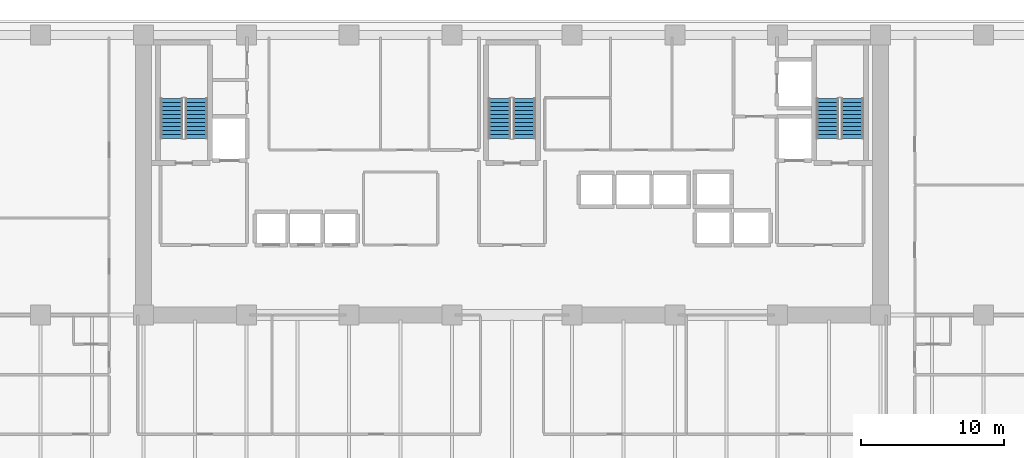
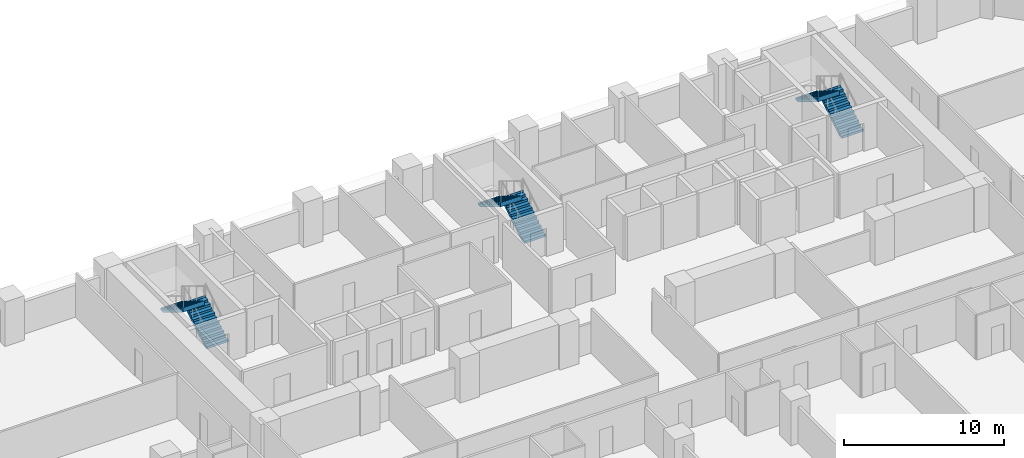
# One storey, part 10 of 14: 6 stair flights, 3 elements without a shape of their own.
"""IFC4 building model written with IfcOpenShell, lengths in metres."""

from ifc_helpers import new_model, si_unit, direction, frame, origin, place, context, subcontext, project, spatial, polyline, outline, extrude, material, type_object, element, aggregate, save


model = new_model("IFC4")

# Units and contexts
model_context = context("Model", 3, precision=1e-05, world=origin(), true_north=direction((0.0, 1.0)))
body_context = subcontext(model_context, "Body", "Model", "MODEL_VIEW")
ifc_project = project(units=[si_unit("LENGTHUNIT", "METRE"), si_unit("AREAUNIT", "SQUARE_METRE"), si_unit("VOLUMEUNIT", "CUBIC_METRE"), si_unit("PLANEANGLEUNIT", "RADIAN"), si_unit("MASSUNIT", "GRAM", prefix="KILO")], contexts=[model_context])

# Site, building, storey
site_placement = place(None, origin())
site = spatial("IfcSite", under=ifc_project, at=site_placement, CompositionType="ELEMENT")
building_placement = place(site_placement, origin())
building = spatial("IfcBuilding", under=site, at=building_placement, Name="Kaelvorn Grand Hotel", CompositionType="ELEMENT")
storey_placement = place(building_placement, frame((0.0, 0.0, 76.39990234375)))
storey = spatial("IfcBuildingStorey", under=building, at=storey_placement, Name="L17", CompositionType="ELEMENT", Elevation=76.39990234375)

# Stair, stair flights
ifc_material = material(Name="Concrete C40/50", Category="concrete")
stair_type = type_object("IfcStairType", Name="STR-DOG-1560-R06", PredefinedType="HALF_TURN_STAIR", material=ifc_material)
stair_1_placement = place(storey_placement, origin())
stair_1 = element("IfcStair", 1, at=stair_1_placement, inside=storey, type_object=stair_type, Name="L17 West Core Exit Stair ST1", PredefinedType="HALF_TURN_STAIR")
stair_flight_type = type_object("IfcStairFlightType", Name="FLG-DOG-1560-R06", PredefinedType="STRAIGHT", material=ifc_material)
stair_flight_1_placement = place(storey_placement, frame((19.89990234375, 41.760009765625, 0.0), z_axis=(0.0, 0.0, 1.0), x_axis=(0.0, 1.0, 0.0)))
stair_flight_1 = element("IfcStairFlight", 2, at=stair_flight_1_placement, type_object=stair_flight_type, Name="ST1 flight 1", NumberOfRisers=11, NumberOfTreads=10, PredefinedType="STRAIGHT", RiserHeight=0.170454545, TreadLength=0.28, context=body_context, shape_type="SweptSolid", body=[
    extrude(outline(polyline([(-0.0048828125, 0.0), (-0.0048828125, 0.0400390625), (0.0, 0.17041015625), (0.280029296875, 0.17041015625), (0.280029296875, 0.3408203125), (0.56005859375, 0.3408203125), (0.56005859375, 0.511474609375), (0.840087890625, 0.511474609375), (0.840087890625, 0.681884765625), (1.1201171875, 0.681884765625), (1.1201171875, 0.852294921875), (1.39990234375, 0.852294921875), (1.39990234375, 1.022705078125), (1.679931640625, 1.022705078125), (1.679931640625, 1.193115234375), (1.9599609375, 1.193115234375), (1.9599609375, 1.363525390625), (2.239990234375, 1.363525390625), (2.239990234375, 1.5341796875), (2.52001953125, 1.5341796875), (2.52001953125, 1.70458984375), (2.800048828125, 1.70458984375), (2.800048828125, 1.875), (2.804931640625, 1.875), (2.804931640625, 1.529052734375), (0.288330078125, 0.0), (-0.0048828125, 0.0)])), frame((0.0, 0.780029296875, 0.0), z_axis=(0.0, -1.0, 0.0), x_axis=(1.0, 0.0, 0.0)), (0.0, 0.0, 1.0), 1.56005859375),
])
stair_flight_2_placement = place(storey_placement, frame((18.179931640625, 44.56005859375, 1.875), z_axis=(0.0, 0.0, 1.0), x_axis=(0.0, -1.0, 0.0)))
stair_flight_2 = element("IfcStairFlight", 3, at=stair_flight_2_placement, type_object=stair_flight_type, Name="ST1 flight 2", NumberOfRisers=11, NumberOfTreads=10, PredefinedType="STRAIGHT", RiserHeight=0.170454545, TreadLength=0.28, context=body_context, shape_type="SweptSolid", body=[
    extrude(outline(polyline([(-0.0048828125, 0.0), (-0.0048828125, 0.0400390625), (0.0, 0.17041015625), (0.280029296875, 0.17041015625), (0.280029296875, 0.3408203125), (0.56005859375, 0.3408203125), (0.56005859375, 0.511474609375), (0.840087890625, 0.511474609375), (0.840087890625, 0.681884765625), (1.1201171875, 0.681884765625), (1.1201171875, 0.852294921875), (1.39990234375, 0.852294921875), (1.39990234375, 1.022705078125), (1.679931640625, 1.022705078125), (1.679931640625, 1.193115234375), (1.9599609375, 1.193115234375), (1.9599609375, 1.363525390625), (2.239990234375, 1.363525390625), (2.239990234375, 1.5341796875), (2.52001953125, 1.5341796875), (2.52001953125, 1.70458984375), (2.800048828125, 1.70458984375), (2.800048828125, 1.875), (2.804931640625, 1.875), (2.804931640625, 1.529052734375), (0.288330078125, 0.0), (-0.0048828125, 0.0)])), frame((0.0, 0.780029296875, 0.0), z_axis=(0.0, -1.0, 0.0), x_axis=(1.0, 0.0, 0.0)), (0.0, 0.0, 1.0), 1.56005859375),
])
aggregate(stair_1, [stair_flight_1, stair_flight_2])

stair_2_placement = place(storey_placement, origin())
stair_2 = element("IfcStair", 4, at=stair_2_placement, inside=storey, type_object=stair_type, Name="L17 Central Core Exit Stair ST2", PredefinedType="HALF_TURN_STAIR")
stair_flight_3_placement = place(storey_placement, frame((42.860107421875, 41.760009765625, 0.0), z_axis=(0.0, 0.0, 1.0), x_axis=(0.0, 1.0, 0.0)))
stair_flight_3 = element("IfcStairFlight", 5, at=stair_flight_3_placement, type_object=stair_flight_type, Name="ST2 flight 1", NumberOfRisers=11, NumberOfTreads=10, PredefinedType="STRAIGHT", RiserHeight=0.170454545, TreadLength=0.28, context=body_context, shape_type="SweptSolid", body=[
    extrude(outline(polyline([(-0.0048828125, 0.0), (-0.0048828125, 0.0400390625), (0.0, 0.17041015625), (0.280029296875, 0.17041015625), (0.280029296875, 0.3408203125), (0.56005859375, 0.3408203125), (0.56005859375, 0.511474609375), (0.840087890625, 0.511474609375), (0.840087890625, 0.681884765625), (1.1201171875, 0.681884765625), (1.1201171875, 0.852294921875), (1.39990234375, 0.852294921875), (1.39990234375, 1.022705078125), (1.679931640625, 1.022705078125), (1.679931640625, 1.193115234375), (1.9599609375, 1.193115234375), (1.9599609375, 1.363525390625), (2.239990234375, 1.363525390625), (2.239990234375, 1.5341796875), (2.52001953125, 1.5341796875), (2.52001953125, 1.70458984375), (2.800048828125, 1.70458984375), (2.800048828125, 1.875), (2.804931640625, 1.875), (2.804931640625, 1.529052734375), (0.288330078125, 0.0), (-0.0048828125, 0.0)])), frame((0.0, 0.780029296875, 0.0), z_axis=(0.0, -1.0, 0.0), x_axis=(1.0, 0.0, 0.0)), (0.0, 0.0, 1.0), 1.56005859375),
])
stair_flight_4_placement = place(storey_placement, frame((41.139892578125, 44.56005859375, 1.875), z_axis=(0.0, 0.0, 1.0), x_axis=(0.0, -1.0, 0.0)))
stair_flight_4 = element("IfcStairFlight", 6, at=stair_flight_4_placement, type_object=stair_flight_type, Name="ST2 flight 2", NumberOfRisers=11, NumberOfTreads=10, PredefinedType="STRAIGHT", RiserHeight=0.170454545, TreadLength=0.28, context=body_context, shape_type="SweptSolid", body=[
    extrude(outline(polyline([(-0.0048828125, 0.0), (-0.0048828125, 0.0400390625), (0.0, 0.17041015625), (0.280029296875, 0.17041015625), (0.280029296875, 0.3408203125), (0.56005859375, 0.3408203125), (0.56005859375, 0.511474609375), (0.840087890625, 0.511474609375), (0.840087890625, 0.681884765625), (1.1201171875, 0.681884765625), (1.1201171875, 0.852294921875), (1.39990234375, 0.852294921875), (1.39990234375, 1.022705078125), (1.679931640625, 1.022705078125), (1.679931640625, 1.193115234375), (1.9599609375, 1.193115234375), (1.9599609375, 1.363525390625), (2.239990234375, 1.363525390625), (2.239990234375, 1.5341796875), (2.52001953125, 1.5341796875), (2.52001953125, 1.70458984375), (2.800048828125, 1.70458984375), (2.800048828125, 1.875), (2.804931640625, 1.875), (2.804931640625, 1.529052734375), (0.288330078125, 0.0), (-0.0048828125, 0.0)])), frame((0.0, 0.780029296875, 0.0), z_axis=(0.0, -1.0, 0.0), x_axis=(1.0, 0.0, 0.0)), (0.0, 0.0, 1.0), 1.56005859375),
])
aggregate(stair_2, [stair_flight_3, stair_flight_4])

stair_3_placement = place(storey_placement, origin())
stair_3 = element("IfcStair", 7, at=stair_3_placement, inside=storey, type_object=stair_type, Name="L17 East Core Exit Stair ST3", PredefinedType="HALF_TURN_STAIR")
stair_flight_5_placement = place(storey_placement, frame((65.820068359375, 41.760009765625, 0.0), z_axis=(0.0, 0.0, 1.0), x_axis=(0.0, 1.0, 0.0)))
stair_flight_5 = element("IfcStairFlight", 8, at=stair_flight_5_placement, type_object=stair_flight_type, Name="ST3 flight 1", NumberOfRisers=11, NumberOfTreads=10, PredefinedType="STRAIGHT", RiserHeight=0.170454545, TreadLength=0.28, context=body_context, shape_type="SweptSolid", body=[
    extrude(outline(polyline([(-0.0048828125, 0.0), (-0.0048828125, 0.0400390625), (0.0, 0.17041015625), (0.280029296875, 0.17041015625), (0.280029296875, 0.3408203125), (0.56005859375, 0.3408203125), (0.56005859375, 0.511474609375), (0.840087890625, 0.511474609375), (0.840087890625, 0.681884765625), (1.1201171875, 0.681884765625), (1.1201171875, 0.852294921875), (1.39990234375, 0.852294921875), (1.39990234375, 1.022705078125), (1.679931640625, 1.022705078125), (1.679931640625, 1.193115234375), (1.9599609375, 1.193115234375), (1.9599609375, 1.363525390625), (2.239990234375, 1.363525390625), (2.239990234375, 1.5341796875), (2.52001953125, 1.5341796875), (2.52001953125, 1.70458984375), (2.800048828125, 1.70458984375), (2.800048828125, 1.875), (2.804931640625, 1.875), (2.804931640625, 1.529052734375), (0.288330078125, 0.0), (-0.0048828125, 0.0)])), frame((0.0, 0.780029296875, 0.0), z_axis=(0.0, -1.0, 0.0), x_axis=(1.0, 0.0, 0.0)), (0.0, 0.0, 1.0), 1.56005859375),
])
stair_flight_6_placement = place(storey_placement, frame((64.10009765625, 44.56005859375, 1.875), z_axis=(0.0, 0.0, 1.0), x_axis=(0.0, -1.0, 0.0)))
stair_flight_6 = element("IfcStairFlight", 9, at=stair_flight_6_placement, type_object=stair_flight_type, Name="ST3 flight 2", NumberOfRisers=11, NumberOfTreads=10, PredefinedType="STRAIGHT", RiserHeight=0.170454545, TreadLength=0.28, context=body_context, shape_type="SweptSolid", body=[
    extrude(outline(polyline([(-0.0048828125, 0.0), (-0.0048828125, 0.0400390625), (0.0, 0.17041015625), (0.280029296875, 0.17041015625), (0.280029296875, 0.3408203125), (0.56005859375, 0.3408203125), (0.56005859375, 0.511474609375), (0.840087890625, 0.511474609375), (0.840087890625, 0.681884765625), (1.1201171875, 0.681884765625), (1.1201171875, 0.852294921875), (1.39990234375, 0.852294921875), (1.39990234375, 1.022705078125), (1.679931640625, 1.022705078125), (1.679931640625, 1.193115234375), (1.9599609375, 1.193115234375), (1.9599609375, 1.363525390625), (2.239990234375, 1.363525390625), (2.239990234375, 1.5341796875), (2.52001953125, 1.5341796875), (2.52001953125, 1.70458984375), (2.800048828125, 1.70458984375), (2.800048828125, 1.875), (2.804931640625, 1.875), (2.804931640625, 1.529052734375), (0.288330078125, 0.0), (-0.0048828125, 0.0)])), frame((0.0, 0.780029296875, 0.0), z_axis=(0.0, -1.0, 0.0), x_axis=(1.0, 0.0, 0.0)), (0.0, 0.0, 1.0), 1.56005859375),
])
aggregate(stair_3, [stair_flight_5, stair_flight_6])

save(model, "model.ifc")
